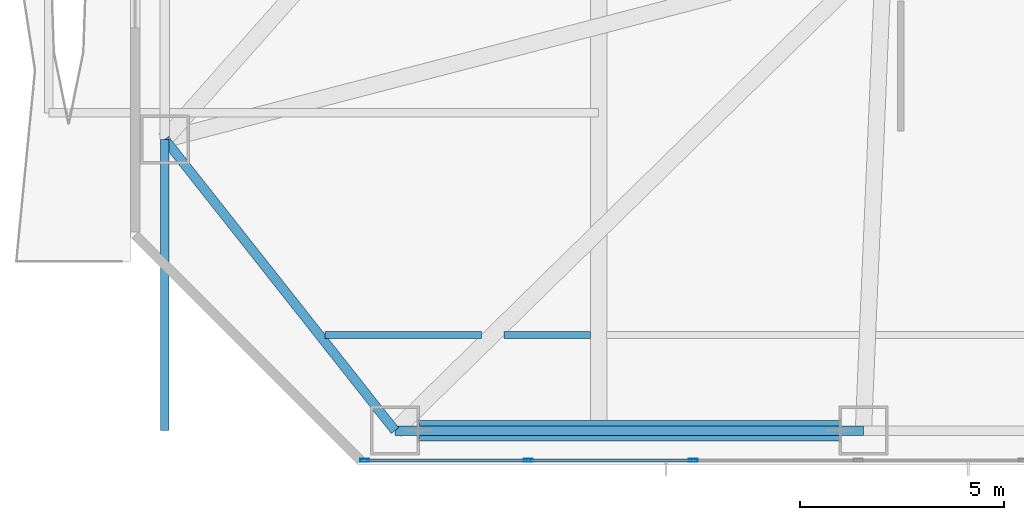
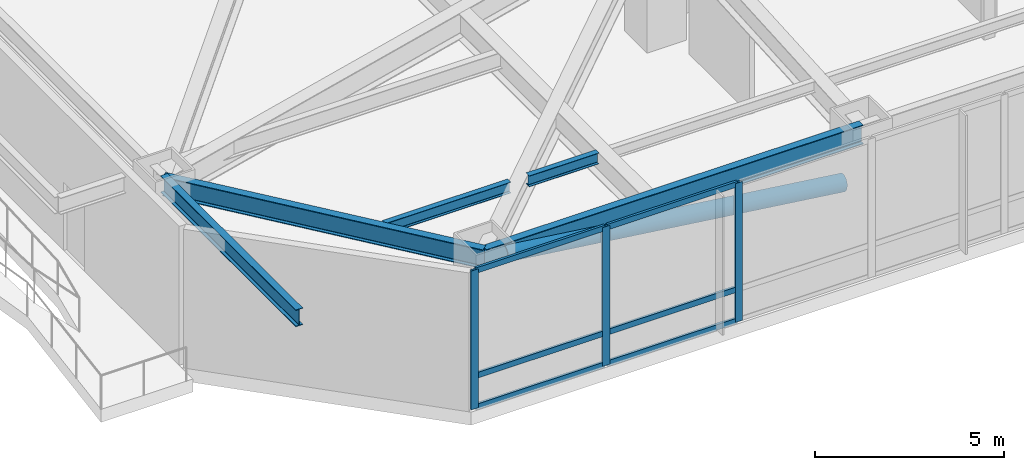
# One storey, part 2 of 33: 10 members, 5 beams, 1 element without a shape of its own.
"""IFC4 building model written with IfcOpenShell, lengths in metres."""

from ifc_helpers import new_model, si_unit, direction, frame, origin, origin_2d, place, context, subcontext, project, spatial, hollow_rectangle, hollow_circle, i_section, extrude, material, material_profile, profile_set, type_object, element, aggregate, save


model = new_model("IFC4")

# Units and contexts
model_context = context("Model", 3, precision=1e-05, world=origin(), true_north=direction((0.0, 1.0)))
body_context = subcontext(model_context, "Body", "Model", "MODEL_VIEW")
ifc_project = project(units=[si_unit("LENGTHUNIT", "METRE"), si_unit("AREAUNIT", "SQUARE_METRE"), si_unit("VOLUMEUNIT", "CUBIC_METRE"), si_unit("PLANEANGLEUNIT", "RADIAN"), si_unit("MASSUNIT", "GRAM", prefix="KILO")], contexts=[model_context])

# Site, building, storey
site_placement = place(None, origin())
site = spatial("IfcSite", under=ifc_project, at=site_placement, CompositionType="ELEMENT")
building_placement = place(site_placement, origin())
building = spatial("IfcBuilding", under=site, at=building_placement, Name="Khamvora Tower", CompositionType="ELEMENT")
storey_placement = place(building_placement, frame((0.0, 0.0, 7.199951171875)))
storey = spatial("IfcBuildingStorey", under=building, at=storey_placement, Name="L01", CompositionType="ELEMENT", Elevation=7.199951171875)

# Beams
ifc_material_1 = material(Name="Steel S355", Category="steel")
ifc_material_profile_1 = material_profile(ifc_material_1, i_section(OverallWidth=0.1708984375, OverallDepth=0.35498046875, WebThickness=0.007080078125, FlangeThickness=0.011962890625, FilletRadius=0.010009765625, at=origin_2d()), Name="W360x51")
ifc_profile_set_1 = profile_set([ifc_material_profile_1], Name="Steel S355")
beam_type_1 = type_object("IfcBeamType", Name="BM-JS-W360x51", PredefinedType="JOIST", material=ifc_profile_set_1)
beam_1_placement = place(storey_placement, frame((4.784912109375, 3.199951171875, 4.302001953125), z_axis=(1.0, 0.0, 0.0), x_axis=(0.0, 1.0, 0.0)))
element("IfcBeam", 1, at=beam_1_placement, inside=storey, type_object=beam_type_1, Name="L01 secondary floor joist 01", PredefinedType="JOIST", context=body_context, shape_type="SweptSolid", body=[
    extrude(i_section(OverallWidth=0.1708984375, OverallDepth=0.35498046875, WebThickness=0.007080078125, FlangeThickness=0.011962890625, FilletRadius=0.010009765625, at=origin_2d()), origin(), (0.0, 0.0, 1.0), 3.833984375),
])
beam_2_placement = place(storey_placement, frame((9.180908203125, 3.199951171875, 4.302001953125), z_axis=(1.0, 0.0, 0.0), x_axis=(0.0, 1.0, 0.0)))
element("IfcBeam", 2, at=beam_2_placement, inside=storey, type_object=beam_type_1, Name="L01 secondary floor joist 02", PredefinedType="JOIST", context=body_context, shape_type="SweptSolid", body=[
    extrude(i_section(OverallWidth=0.1708984375, OverallDepth=0.35498046875, WebThickness=0.007080078125, FlangeThickness=0.011962890625, FilletRadius=0.010009765625, at=origin_2d()), origin(), (0.0, 0.0, 1.0), 2.1240234375),
])
ifc_material_profile_2 = material_profile(ifc_material_1, i_section(OverallWidth=0.2119140625, OverallDepth=0.5439453125, WebThickness=0.012939453125, FlangeThickness=0.02099609375, FilletRadius=0.013916015625, at=origin_2d()), Name="W530x123")
ifc_profile_set_2 = profile_set([ifc_material_profile_2], Name="Steel S355")
beam_type_2 = type_object("IfcBeamType", Name="BM-SP-W530x123", PredefinedType="SPANDREL", material=ifc_profile_set_2)
beam_3_placement = place(storey_placement, frame((0.85009765625, 0.85009765625, 4.2080078125), z_axis=(0.0, 1.0, 0.0), x_axis=(-1.0, 0.0, 0.0)))
element("IfcBeam", 3, at=beam_3_placement, inside=storey, type_object=beam_type_2, Name="L01 W perimeter edge spandrel 1", PredefinedType="SPANDREL", context=body_context, shape_type="SweptSolid", body=[
    extrude(i_section(OverallWidth=0.2119140625, OverallDepth=0.5439453125, WebThickness=0.012939453125, FlangeThickness=0.02099609375, FilletRadius=0.013916015625, at=origin_2d()), origin(), (0.0, 0.0, 1.0), 7.14990234375),
])
ifc_material_profile_3 = material_profile(ifc_material_1, i_section(OverallWidth=0.22998046875, OverallDepth=0.616943359375, WebThickness=0.012939453125, FlangeThickness=0.02197265625, FilletRadius=0.013916015625, at=origin_2d()), Name="W610x140")
ifc_profile_set_3 = profile_set([ifc_material_profile_3], Name="Steel S355")
beam_type_3 = type_object("IfcBeamType", Name="BM-SP-W610x140", PredefinedType="SPANDREL", material=ifc_profile_set_3)
beam_4_placement = place(storey_placement, frame((0.85009765625, 8.0, 4.171142578125), z_axis=(0.619998635429, -0.784602888133, 0.0), x_axis=(0.784602888133, 0.619998635429, 0.0)))
element("IfcBeam", 4, at=beam_4_placement, inside=storey, type_object=beam_type_3, Name="L01 perimeter spandrel beam P09-P01", PredefinedType="SPANDREL", context=body_context, shape_type="SweptSolid", body=[
    extrude(i_section(OverallWidth=0.22998046875, OverallDepth=0.616943359375, WebThickness=0.012939453125, FlangeThickness=0.02197265625, FilletRadius=0.013916015625, at=origin_2d()), origin(), (0.0, 0.0, 1.0), 9.11279296875),
])
beam_5_placement = place(storey_placement, frame((6.5, 0.85009765625, 4.171142578125), z_axis=(1.0, 0.0, 0.0), x_axis=(0.0, 1.0, 0.0)))
element("IfcBeam", 5, at=beam_5_placement, inside=storey, type_object=beam_type_3, Name="L01 perimeter spandrel beam P01-P02", PredefinedType="SPANDREL", context=body_context, shape_type="SweptSolid", body=[
    extrude(i_section(OverallWidth=0.22998046875, OverallDepth=0.616943359375, WebThickness=0.012939453125, FlangeThickness=0.02197265625, FilletRadius=0.013916015625, at=origin_2d()), origin(), (0.0, 0.0, 1.0), 11.5),
])

# Curtain wall, members
ifc_material_2 = material(Name="Anodised Aluminium 6063-T6", Category="aluminium")
curtain_wall_type = type_object("IfcCurtainWallType", Name="CW-SYS-01", PredefinedType="NOTDEFINED", material=ifc_material_2)
curtain_wall_placement = place(storey_placement, origin())
curtain_wall = element("IfcCurtainWall", 6, at=curtain_wall_placement, inside=storey, type_object=curtain_wall_type, Name="L01 stick curtain wall 14.1", PredefinedType="NOTDEFINED")
ifc_material_profile_4 = material_profile(ifc_material_2, hollow_rectangle(XDim=0.074951171875, YDim=0.219970703125, WallThickness=0.0048828125, at=origin_2d()), Name="MUL75x220x5")
ifc_profile_set_4 = profile_set([ifc_material_profile_4], Name="Anodised Aluminium 6063-T6")
member_type_1 = type_object("IfcMemberType", Name="CW-SYS-01-MUL", PredefinedType="MULLION", material=ifc_profile_set_4)
member_1_placement = place(storey_placement, frame((13.824951171875, 0.1201171875, 0.0), z_axis=(0.0, 0.0, 1.0), x_axis=(0.0, -1.0, 0.0)))
member_1 = element("IfcMember", 7, at=member_1_placement, type_object=member_type_1, Name="CW-01 mullion 10", PredefinedType="MULLION", context=body_context, shape_type="SweptSolid", body=[
    extrude(hollow_rectangle(XDim=0.074951171875, YDim=0.219970703125, WallThickness=0.0048828125, at=origin_2d()), origin(), (0.0, 0.0, 1.0), 4.47998046875),
])
member_2_placement = place(storey_placement, frame((9.77490234375, 0.1201171875, 0.0), z_axis=(0.0, 0.0, 1.0), x_axis=(0.0, -1.0, 0.0)))
member_2 = element("IfcMember", 8, at=member_2_placement, type_object=member_type_1, Name="CW-01 mullion 11", PredefinedType="MULLION", context=body_context, shape_type="SweptSolid", body=[
    extrude(hollow_rectangle(XDim=0.074951171875, YDim=0.219970703125, WallThickness=0.0048828125, at=origin_2d()), origin(), (0.0, 0.0, 1.0), 4.47998046875),
])
member_3_placement = place(storey_placement, frame((5.762451171875, 0.1201171875, 0.0), z_axis=(0.0, 0.0, 1.0), x_axis=(0.0, -1.0, 0.0)))
member_3 = element("IfcMember", 9, at=member_3_placement, type_object=member_type_1, Name="CW-01 mullion 12", PredefinedType="MULLION", context=body_context, shape_type="SweptSolid", body=[
    extrude(hollow_rectangle(XDim=0.074951171875, YDim=0.219970703125, WallThickness=0.0048828125, at=origin_2d()), origin(), (0.0, 0.0, 1.0), 4.47998046875),
])
ifc_material_profile_5 = material_profile(ifc_material_2, hollow_rectangle(XDim=0.074951171875, YDim=0.179931640625, WallThickness=0.0048828125, at=origin_2d()), Name="TRN75x180x5")
ifc_profile_set_5 = profile_set([ifc_material_profile_5], Name="Anodised Aluminium 6063-T6")
member_type_2 = type_object("IfcMemberType", Name="CW-SYS-01-TRN", PredefinedType="USERDEFINED", material=ifc_profile_set_5)
member_4_placement = place(storey_placement, frame((13.78759765625, 0.1201171875, 0.03759765625), z_axis=(-1.0, 0.0, 0.0), x_axis=(0.0, -1.0, 0.0)))
member_4 = element("IfcMember", 10, at=member_4_placement, type_object=member_type_2, Name="CW-01 transom 10.1", ObjectType="TRANSOM", PredefinedType="USERDEFINED", context=body_context, shape_type="SweptSolid", body=[
    extrude(hollow_rectangle(XDim=0.074951171875, YDim=0.179931640625, WallThickness=0.0048828125, at=origin_2d()), origin(), (0.0, 0.0, 1.0), 3.97509765625),
])
member_5_placement = place(storey_placement, frame((13.78759765625, 0.1201171875, 1.050048828125), z_axis=(-1.0, 0.0, 0.0), x_axis=(0.0, -1.0, 0.0)))
member_5 = element("IfcMember", 11, at=member_5_placement, type_object=member_type_2, Name="CW-01 transom 10.2", ObjectType="TRANSOM", PredefinedType="USERDEFINED", context=body_context, shape_type="SweptSolid", body=[
    extrude(hollow_rectangle(XDim=0.074951171875, YDim=0.179931640625, WallThickness=0.0048828125, at=origin_2d()), origin(), (0.0, 0.0, 1.0), 3.97509765625),
])
member_6_placement = place(storey_placement, frame((13.78759765625, 0.1201171875, 4.442626953125), z_axis=(-1.0, 0.0, 0.0), x_axis=(0.0, -1.0, 0.0)))
member_6 = element("IfcMember", 12, at=member_6_placement, type_object=member_type_2, Name="CW-01 transom 10.3", ObjectType="TRANSOM", PredefinedType="USERDEFINED", context=body_context, shape_type="SweptSolid", body=[
    extrude(hollow_rectangle(XDim=0.074951171875, YDim=0.179931640625, WallThickness=0.0048828125, at=origin_2d()), origin(), (0.0, 0.0, 1.0), 3.97509765625),
])
member_7_placement = place(storey_placement, frame((9.737548828125, 0.1201171875, 0.03759765625), z_axis=(-1.0, 0.0, 0.0), x_axis=(0.0, -1.0, 0.0)))
member_7 = element("IfcMember", 13, at=member_7_placement, type_object=member_type_2, Name="CW-01 transom 11.1", ObjectType="TRANSOM", PredefinedType="USERDEFINED", context=body_context, shape_type="SweptSolid", body=[
    extrude(hollow_rectangle(XDim=0.074951171875, YDim=0.179931640625, WallThickness=0.0048828125, at=origin_2d()), origin(), (0.0, 0.0, 1.0), 3.9375),
])
member_8_placement = place(storey_placement, frame((9.737548828125, 0.1201171875, 1.050048828125), z_axis=(-1.0, 0.0, 0.0), x_axis=(0.0, -1.0, 0.0)))
member_8 = element("IfcMember", 14, at=member_8_placement, type_object=member_type_2, Name="CW-01 transom 11.2", ObjectType="TRANSOM", PredefinedType="USERDEFINED", context=body_context, shape_type="SweptSolid", body=[
    extrude(hollow_rectangle(XDim=0.074951171875, YDim=0.179931640625, WallThickness=0.0048828125, at=origin_2d()), origin(), (0.0, 0.0, 1.0), 3.9375),
])
member_9_placement = place(storey_placement, frame((9.737548828125, 0.1201171875, 4.442626953125), z_axis=(-1.0, 0.0, 0.0), x_axis=(0.0, -1.0, 0.0)))
member_9 = element("IfcMember", 15, at=member_9_placement, type_object=member_type_2, Name="CW-01 transom 11.3", ObjectType="TRANSOM", PredefinedType="USERDEFINED", context=body_context, shape_type="SweptSolid", body=[
    extrude(hollow_rectangle(XDim=0.074951171875, YDim=0.179931640625, WallThickness=0.0048828125, at=origin_2d()), origin(), (0.0, 0.0, 1.0), 3.9375),
])
aggregate(curtain_wall, [member_1, member_2, member_3, member_4, member_5, member_6, member_7, member_8, member_9])

# Member
ifc_material_3 = material(Name="Steel S460", Category="steel")
ifc_material_profile_6 = material_profile(ifc_material_3, hollow_circle(Radius=0.25390625, WallThickness=0.02490234375, at=origin_2d()), Name="CHS508x25")
ifc_profile_set_6 = profile_set([ifc_material_profile_6], Name="Steel S460")
member_type_3 = type_object("IfcMemberType", Name="MEM-BR-CHS508", PredefinedType="BRACE", material=ifc_profile_set_6)
member_10_placement = place(storey_placement, frame((17.425048828125, 0.85009765625, 2.755126953125), z_axis=(-0.991712996573, 0.0, 0.128473080558), x_axis=(0.0, -1.0, 0.0)))
element("IfcMember", 16, at=member_10_placement, inside=storey, type_object=member_type_3, Name="L01 perimeter wind brace 1", PredefinedType="BRACE", context=body_context, shape_type="SweptSolid", body=[
    extrude(hollow_circle(Radius=0.25390625, WallThickness=0.02490234375, at=origin_2d()), origin(), (0.0, 0.0, 1.0), 10.4365234375),
])

save(model, "model.ifc")
